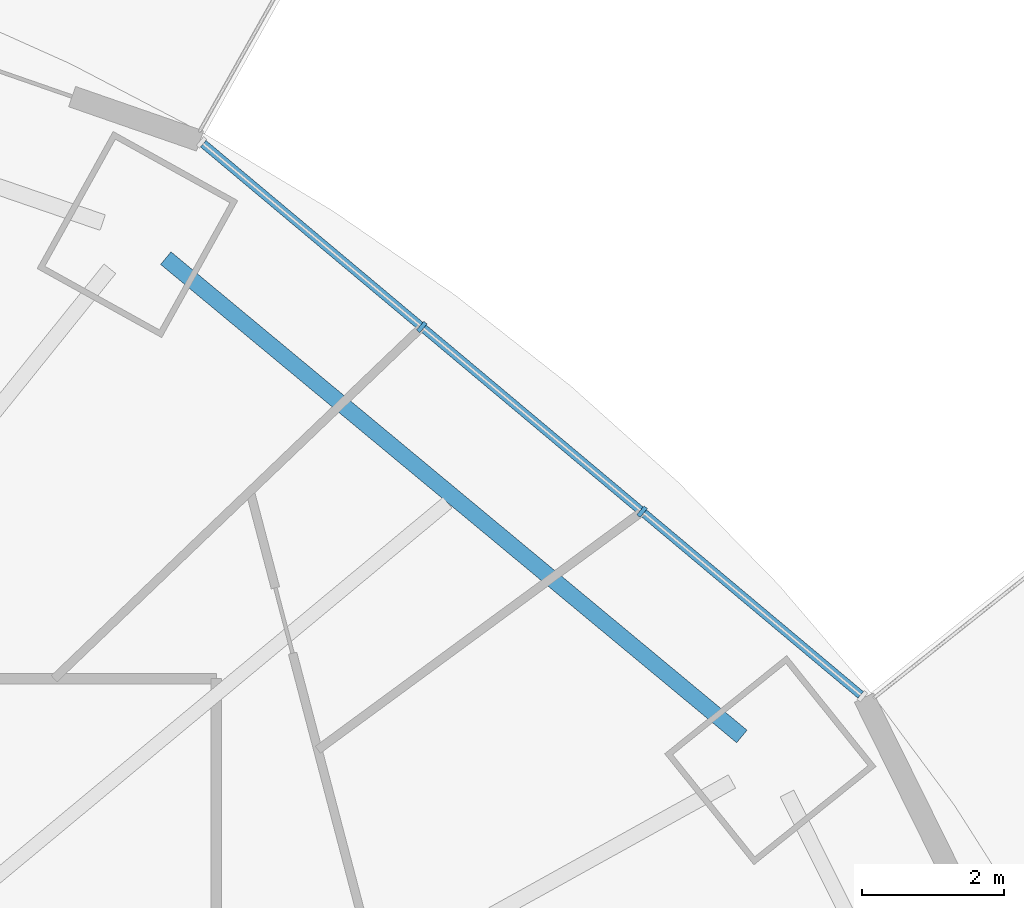
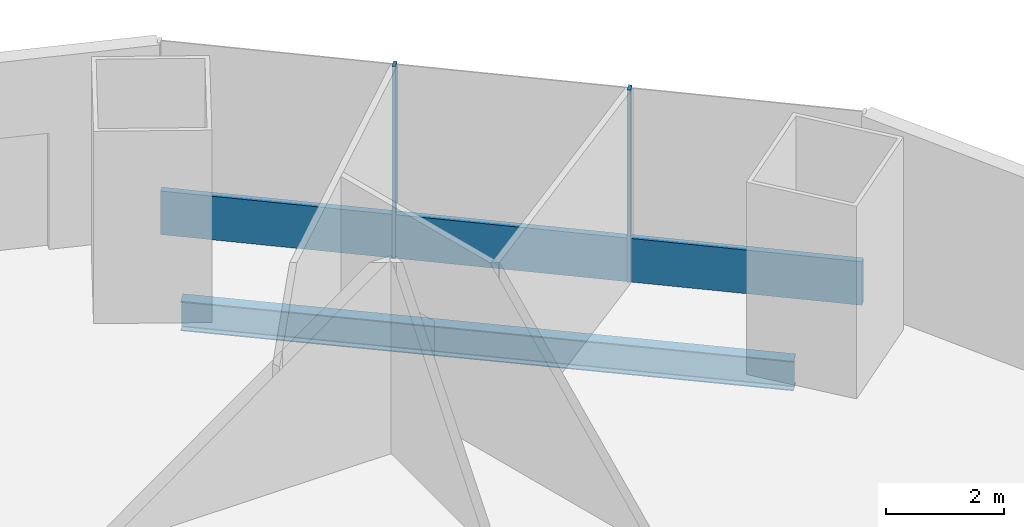
# One storey, part 10 of 21: 3 members, 1 beam, 1 element without a shape of its own.
"""IFC4 building model written with IfcOpenShell, lengths in metres."""

from ifc_helpers import new_model, si_unit, direction, frame, origin, origin_2d, place, context, subcontext, project, spatial, rectangle, i_section, extrude, material, material_profile, profile_set, type_object, element, aggregate, save


model = new_model("IFC4")

# Units and contexts
model_context = context("Model", 3, precision=1e-05, world=origin(), true_north=direction((0.0, 1.0)))
body_context = subcontext(model_context, "Body", "Model", "MODEL_VIEW")
ifc_project = project(units=[si_unit("LENGTHUNIT", "METRE"), si_unit("AREAUNIT", "SQUARE_METRE"), si_unit("VOLUMEUNIT", "CUBIC_METRE"), si_unit("PLANEANGLEUNIT", "RADIAN"), si_unit("MASSUNIT", "GRAM", prefix="KILO")], contexts=[model_context])

# Site, building, storey
site_placement = place(None, origin())
site = spatial("IfcSite", under=ifc_project, at=site_placement, CompositionType="ELEMENT")
building_placement = place(site_placement, origin())
building = spatial("IfcBuilding", under=site, at=building_placement, Name="Marenthal Gate Tower", CompositionType="ELEMENT")
storey_placement = place(building_placement, frame((0.0, 0.0, 124.300048828125)))
storey = spatial("IfcBuildingStorey", under=building, at=storey_placement, Name="L26", CompositionType="ELEMENT", Elevation=124.300048828125)

# Curtain wall, members
ifc_material_1 = material(Name="Aluminium and glass", Category="aluminium")
curtain_wall_type = type_object("IfcCurtainWallType", Name="Curtain wall typical low", PredefinedType="NOTDEFINED", material=ifc_material_1)
curtain_wall_placement = place(storey_placement, origin())
curtain_wall = element("IfcCurtainWall", 1, at=curtain_wall_placement, inside=storey, type_object=curtain_wall_type, Name="Curtain wall L26 bay 2", PredefinedType="NOTDEFINED")
ifc_material_2 = material(Name="Aluminium", Category="aluminium")
ifc_material_profile_1 = material_profile(ifc_material_2, rectangle(XDim=0.159912109375, YDim=0.06005859375, at=origin_2d()), Name="60x160 aluminium mullion")
ifc_profile_set_1 = profile_set([ifc_material_profile_1], Name="Aluminium")
member_type_1 = type_object("IfcMemberType", Name="Mullion 60x160 typical low", PredefinedType="MULLION", material=ifc_profile_set_1)
member_1_placement = place(storey_placement, frame((24.975830078125, 18.345947265625, 0.0), z_axis=(0.0, 0.0, 1.0), x_axis=(-0.642437868504, -0.766337774817, 0.0)))
member_1 = element("IfcMember", 2, at=member_1_placement, type_object=member_type_1, Name="Mullion L26 bay 2.2", PredefinedType="MULLION", context=body_context, shape_type="SweptSolid", body=[
    extrude(rectangle(XDim=0.159912109375, YDim=0.06005859375, at=origin_2d()), origin(), (0.0, 0.0, 1.0), 3.969970703125),
])
member_2_placement = place(storey_placement, frame((21.884033203125, 20.937744140625, 0.0), z_axis=(0.0, 0.0, 1.0), x_axis=(-0.642437868504, -0.766337774817, 0.0)))
member_2 = element("IfcMember", 3, at=member_2_placement, type_object=member_type_1, Name="Mullion L26 bay 2.3", PredefinedType="MULLION", context=body_context, shape_type="SweptSolid", body=[
    extrude(rectangle(XDim=0.159912109375, YDim=0.06005859375, at=origin_2d()), origin(), (0.0, 0.0, 1.0), 3.969970703125),
])
ifc_material_3 = material(Name="Aluminium", Category="aluminium")
ifc_material_profile_2 = material_profile(ifc_material_3, rectangle(XDim=0.1201171875, YDim=0.89990234375, at=origin_2d()), Name="120x900 aluminium transom")
ifc_profile_set_2 = profile_set([ifc_material_profile_2], Name="Aluminium")
member_type_2 = type_object("IfcMemberType", Name="Transom 120x900 typical low", PredefinedType="USERDEFINED", material=ifc_profile_set_2)
member_3_placement = place(storey_placement, frame((28.04443359375, 15.7734375, 0.449951171875), z_axis=(-0.766340278264, 0.642434882233, 0.0), x_axis=(-0.642434882233, -0.766340278264, 0.0)))
member_3 = element("IfcMember", 4, at=member_3_placement, type_object=member_type_2, Name="Transom L26 bay 2", ObjectType="TRANSOM", PredefinedType="USERDEFINED", context=body_context, shape_type="SweptSolid", body=[
    extrude(rectangle(XDim=0.1201171875, YDim=0.89990234375, at=origin_2d()), origin(), (0.0, 0.0, 1.0), 12.04296875),
])
aggregate(curtain_wall, [member_1, member_2, member_3])

# Beam
ifc_material_4 = material(Name="Steel S355", Category="steel")
ifc_material_profile_3 = material_profile(ifc_material_4, i_section(OverallWidth=0.22900390625, OverallDepth=0.612060546875, WebThickness=0.011962890625, FlangeThickness=0.01953125, FilletRadius=0.0126953125, at=origin_2d()), Name="W610X125")
ifc_profile_set_3 = profile_set([ifc_material_profile_3], Name="Steel S355")
beam_type = type_object("IfcBeamType", Name="W610X125 beam", PredefinedType="BEAM", material=ifc_profile_set_3)
beam_placement = place(storey_placement, frame((26.376220703125, 15.189697265625, -0.486083984375), z_axis=(-0.769335786628, 0.638844619148, 0.0), x_axis=(-0.638844619148, -0.769335786628, 0.0)))
element("IfcBeam", 5, at=beam_placement, inside=storey, type_object=beam_type, Name="BM-L26-42", PredefinedType="BEAM", context=body_context, shape_type="SweptSolid", body=[
    extrude(i_section(OverallWidth=0.22900390625, OverallDepth=0.612060546875, WebThickness=0.011962890625, FlangeThickness=0.01953125, FilletRadius=0.0126953125, at=origin_2d()), origin(), (0.0, 0.0, 1.0), 10.510986328125),
])

save(model, "model.ifc")
